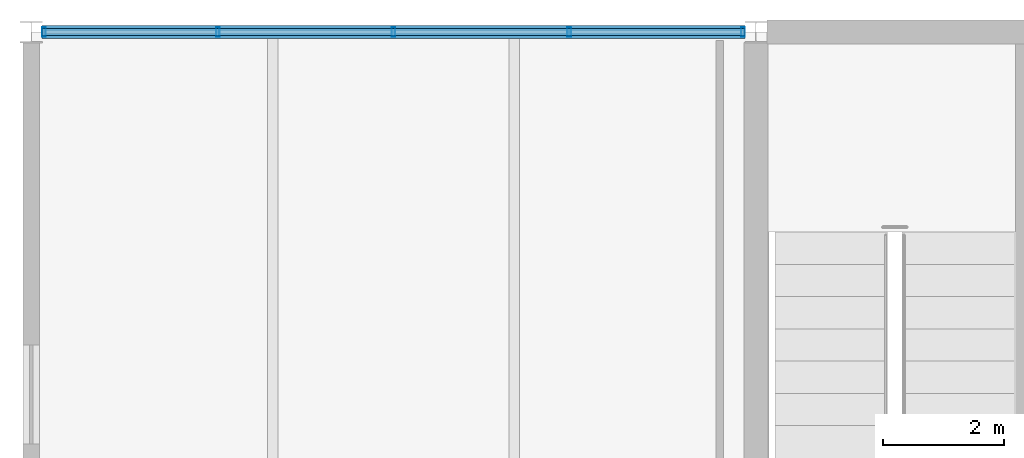
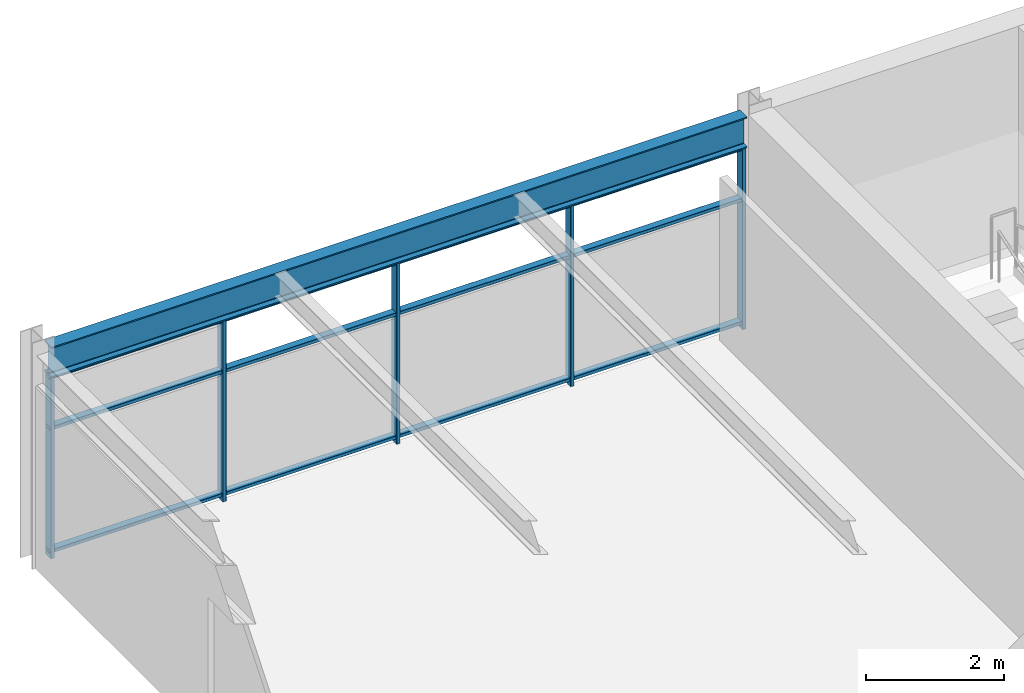
# One storey, part 11 of 40: 8 members, 1 beam, 1 element without a shape of its own.
"""IFC4 building model written with IfcOpenShell, lengths in metres."""

from ifc_helpers import new_model, si_unit, direction, frame, origin, origin_2d, place, context, subcontext, project, spatial, hollow_rectangle, i_section, extrude, material, material_profile, profile_set, type_object, element, aggregate, save


model = new_model("IFC4")

# Units and contexts
model_context = context("Model", 3, precision=1e-05, world=origin(), true_north=direction((0.0, 1.0)))
body_context = subcontext(model_context, "Body", "Model", "MODEL_VIEW")
ifc_project = project(units=[si_unit("LENGTHUNIT", "METRE"), si_unit("AREAUNIT", "SQUARE_METRE"), si_unit("VOLUMEUNIT", "CUBIC_METRE"), si_unit("PLANEANGLEUNIT", "RADIAN"), si_unit("MASSUNIT", "GRAM", prefix="KILO")], contexts=[model_context])

# Site, building, storey
site_placement = place(None, origin())
site = spatial("IfcSite", under=ifc_project, at=site_placement, CompositionType="ELEMENT")
building_placement = place(site_placement, origin())
building = spatial("IfcBuilding", under=site, at=building_placement, Name="Girod Span Mobility Hub", CompositionType="ELEMENT")
storey_placement = place(building_placement, frame((0.0, 0.0, 57.60009765625)))
storey = spatial("IfcBuildingStorey", under=building, at=storey_placement, Name="L14", CompositionType="ELEMENT", Elevation=57.60009765625)

# Beam
ifc_material_1 = material(Name="Steel A992 Grade 50", Category="steel")
ifc_material_profile_1 = material_profile(ifc_material_1, i_section(OverallWidth=0.2119140625, OverallDepth=0.5439453125, WebThickness=0.01318359375, FlangeThickness=0.021240234375, FilletRadius=0.014892578125, at=origin_2d()), Name="W21X83")
ifc_profile_set_1 = profile_set([ifc_material_profile_1], Name="Steel A992 Grade 50")
beam_type = type_object("IfcBeamType", Name="BM-STL-W21X83", PredefinedType="SPANDREL", material=ifc_profile_set_1)
beam_placement = place(storey_placement, frame((36.181396484375, 69.0, 3.48779296875), z_axis=(1.0, 0.0, 0.0), x_axis=(0.0, 1.0, 0.0)))
element("IfcBeam", 1, at=beam_placement, inside=storey, type_object=beam_type, Name="Girder 4-5/F L14", PredefinedType="SPANDREL", context=body_context, shape_type="SweptSolid", body=[
    extrude(i_section(OverallWidth=0.2119140625, OverallDepth=0.5439453125, WebThickness=0.01318359375, FlangeThickness=0.021240234375, FilletRadius=0.014892578125, at=origin_2d()), origin(), (0.0, 0.0, 1.0), 11.63720703125),
])

# Curtain wall, members
ifc_material_2 = material(Name="Thermally Broken Anodised Aluminium", Category="aluminium")
curtain_wall_type = type_object("IfcCurtainWallType", Name="CW-1164X322", PredefinedType="USERDEFINED", material=ifc_material_2)
curtain_wall_placement = place(storey_placement, origin())
curtain_wall = element("IfcCurtainWall", 2, at=curtain_wall_placement, inside=storey, type_object=curtain_wall_type, Name="Unitised Curtain Wall CW-L14-N04 L14", ObjectType="UNITISED CURTAIN WALL", PredefinedType="USERDEFINED")
ifc_material_3 = material(Name="Thermally Broken Anodised Aluminium", Category="aluminium")
ifc_material_profile_2 = material_profile(ifc_material_3, hollow_rectangle(XDim=0.159912109375, YDim=0.06005859375, WallThickness=0.00341796875, InnerFilletRadius=0.00341796875, OuterFilletRadius=0.007080078125, at=origin_2d()), Name="CW-ML-60X160")
ifc_profile_set_2 = profile_set([ifc_material_profile_2], Name="Thermally Broken Anodised Aluminium")
member_type_1 = type_object("IfcMemberType", Name="CWM-ML-3", PredefinedType="MULLION", material=ifc_profile_set_2)
member_1_placement = place(storey_placement, frame((36.214599609375, 69.0, 0.0), z_axis=(0.0, 0.0, 1.0), x_axis=(0.0, 1.0, 0.0)))
member_1 = element("IfcMember", 3, at=member_1_placement, type_object=member_type_1, Name="Curtain Wall Mullion CW-L14-N04-M0", PredefinedType="MULLION", context=body_context, shape_type="SweptSolid", body=[
    extrude(hollow_rectangle(XDim=0.159912109375, YDim=0.06005859375, WallThickness=0.00341796875, InnerFilletRadius=0.00341796875, OuterFilletRadius=0.007080078125, at=origin_2d()), origin(), (0.0, 0.0, 1.0), 3.2158203125),
])
member_2_placement = place(storey_placement, frame((39.09130859375, 69.0, 0.0), z_axis=(0.0, 0.0, 1.0), x_axis=(0.0, 1.0, 0.0)))
member_2 = element("IfcMember", 4, at=member_2_placement, type_object=member_type_1, Name="Curtain Wall Mullion CW-L14-N04-M1", PredefinedType="MULLION", context=body_context, shape_type="SweptSolid", body=[
    extrude(hollow_rectangle(XDim=0.159912109375, YDim=0.06005859375, WallThickness=0.00341796875, InnerFilletRadius=0.00341796875, OuterFilletRadius=0.007080078125, at=origin_2d()), origin(), (0.0, 0.0, 1.0), 3.2158203125),
])
member_3_placement = place(storey_placement, frame((42.0, 69.0, 0.0), z_axis=(0.0, 0.0, 1.0), x_axis=(0.0, 1.0, 0.0)))
member_3 = element("IfcMember", 5, at=member_3_placement, type_object=member_type_1, Name="Curtain Wall Mullion CW-L14-N04-M2", PredefinedType="MULLION", context=body_context, shape_type="SweptSolid", body=[
    extrude(hollow_rectangle(XDim=0.159912109375, YDim=0.06005859375, WallThickness=0.00341796875, InnerFilletRadius=0.00341796875, OuterFilletRadius=0.007080078125, at=origin_2d()), origin(), (0.0, 0.0, 1.0), 3.2158203125),
])
member_4_placement = place(storey_placement, frame((44.90869140625, 69.0, 0.0), z_axis=(0.0, 0.0, 1.0), x_axis=(0.0, 1.0, 0.0)))
member_4 = element("IfcMember", 6, at=member_4_placement, type_object=member_type_1, Name="Curtain Wall Mullion CW-L14-N04-M3", PredefinedType="MULLION", context=body_context, shape_type="SweptSolid", body=[
    extrude(hollow_rectangle(XDim=0.159912109375, YDim=0.06005859375, WallThickness=0.00341796875, InnerFilletRadius=0.00341796875, OuterFilletRadius=0.007080078125, at=origin_2d()), origin(), (0.0, 0.0, 1.0), 3.2158203125),
])
member_5_placement = place(storey_placement, frame((47.785400390625, 69.0, 0.0), z_axis=(0.0, 0.0, 1.0), x_axis=(0.0, 1.0, 0.0)))
member_5 = element("IfcMember", 7, at=member_5_placement, type_object=member_type_1, Name="Curtain Wall Mullion CW-L14-N04-M4", PredefinedType="MULLION", context=body_context, shape_type="SweptSolid", body=[
    extrude(hollow_rectangle(XDim=0.159912109375, YDim=0.06005859375, WallThickness=0.00341796875, InnerFilletRadius=0.00341796875, OuterFilletRadius=0.007080078125, at=origin_2d()), origin(), (0.0, 0.0, 1.0), 3.2158203125),
])
ifc_material_4 = material(Name="Thermally Broken Anodised Aluminium", Category="aluminium")
ifc_material_profile_3 = material_profile(ifc_material_4, hollow_rectangle(XDim=0.1201171875, YDim=0.06005859375, WallThickness=0.00341796875, InnerFilletRadius=0.00341796875, OuterFilletRadius=0.007080078125, at=origin_2d()), Name="CW-TR-60X120")
ifc_profile_set_3 = profile_set([ifc_material_profile_3], Name="Thermally Broken Anodised Aluminium")
member_type_2 = type_object("IfcMemberType", Name="CWM-TR-3", PredefinedType="USERDEFINED", material=ifc_profile_set_3)
member_6_placement = place(storey_placement, frame((36.1826171875, 69.0, 0.10986328125), z_axis=(1.0, 0.0, 0.0), x_axis=(0.0, 1.0, 0.0)))
member_6 = element("IfcMember", 8, at=member_6_placement, type_object=member_type_2, Name="Curtain Wall Transom CW-L14-N04-T1", ObjectType="TRANSOM", PredefinedType="USERDEFINED", context=body_context, shape_type="SweptSolid", body=[
    extrude(hollow_rectangle(XDim=0.1201171875, YDim=0.06005859375, WallThickness=0.00341796875, InnerFilletRadius=0.00341796875, OuterFilletRadius=0.007080078125, at=origin_2d()), origin(), (0.0, 0.0, 1.0), 11.634765625),
])
member_7_placement = place(storey_placement, frame((36.1826171875, 69.0, 2.285400390625), z_axis=(1.0, 0.0, 0.0), x_axis=(0.0, 1.0, 0.0)))
member_7 = element("IfcMember", 9, at=member_7_placement, type_object=member_type_2, Name="Curtain Wall Transom CW-L14-N04-T2", ObjectType="TRANSOM", PredefinedType="USERDEFINED", context=body_context, shape_type="SweptSolid", body=[
    extrude(hollow_rectangle(XDim=0.1201171875, YDim=0.06005859375, WallThickness=0.00341796875, InnerFilletRadius=0.00341796875, OuterFilletRadius=0.007080078125, at=origin_2d()), origin(), (0.0, 0.0, 1.0), 11.634765625),
])
member_8_placement = place(storey_placement, frame((36.1826171875, 69.0, 3.185791015625), z_axis=(1.0, 0.0, 0.0), x_axis=(0.0, 1.0, 0.0)))
member_8 = element("IfcMember", 10, at=member_8_placement, type_object=member_type_2, Name="Curtain Wall Transom CW-L14-N04-T3", ObjectType="TRANSOM", PredefinedType="USERDEFINED", context=body_context, shape_type="SweptSolid", body=[
    extrude(hollow_rectangle(XDim=0.1201171875, YDim=0.06005859375, WallThickness=0.00341796875, InnerFilletRadius=0.00341796875, OuterFilletRadius=0.007080078125, at=origin_2d()), origin(), (0.0, 0.0, 1.0), 11.634765625),
])
aggregate(curtain_wall, [member_1, member_2, member_3, member_4, member_5, member_6, member_7, member_8])

save(model, "model.ifc")
